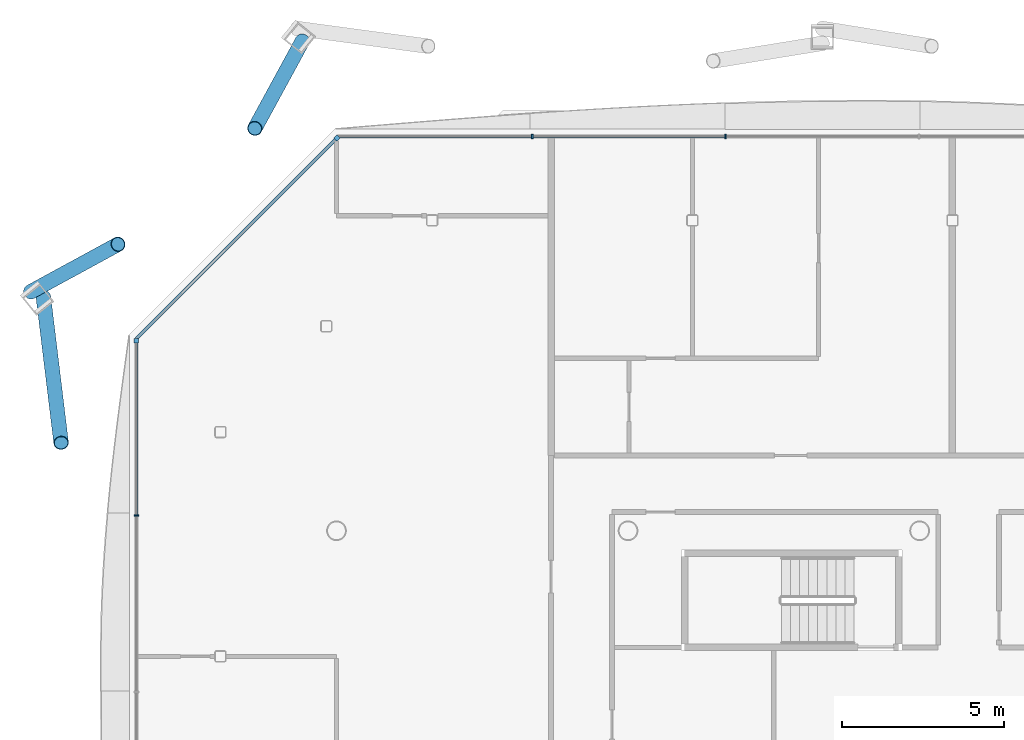
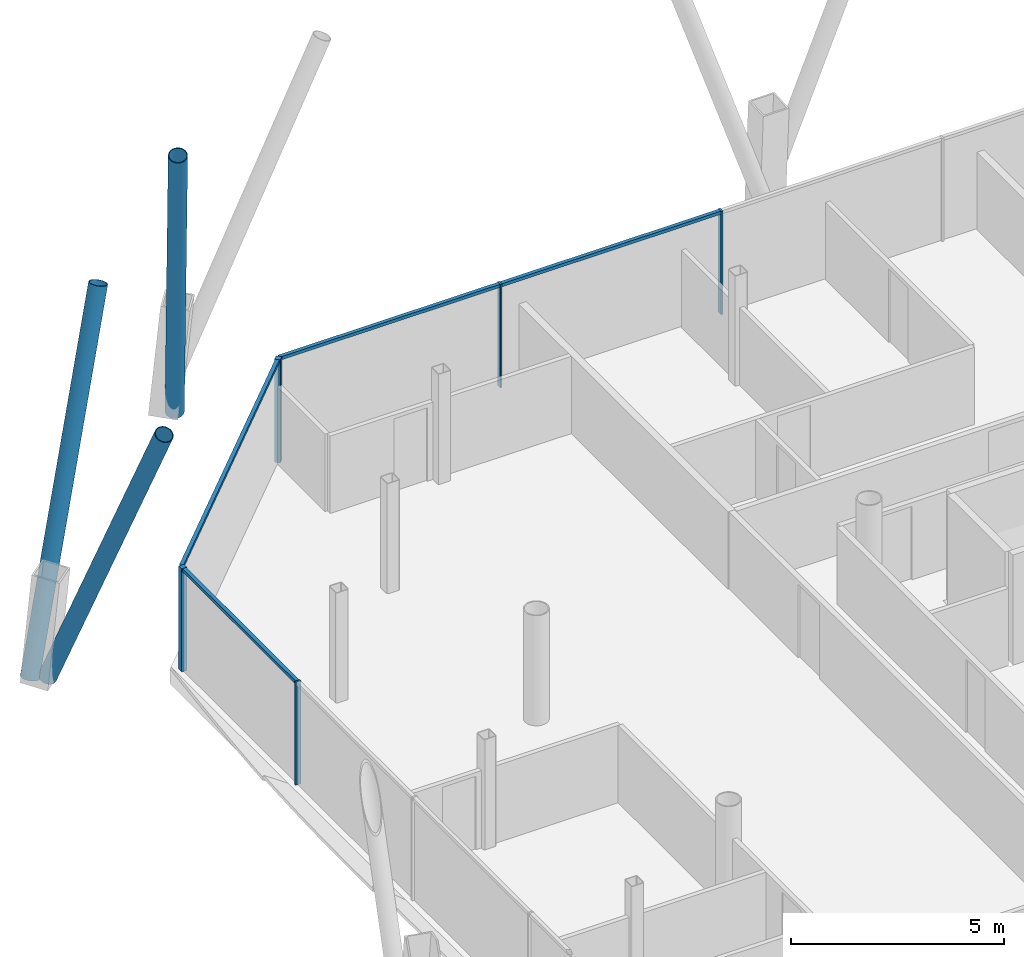
# One storey, part 9 of 21: 12 members, 3 elements without a shape of their own.
"""IFC4 building model written with IfcOpenShell, lengths in metres."""

from ifc_helpers import new_model, si_unit, direction, frame, origin, origin_2d, place, context, subcontext, project, spatial, rectangle, hollow_circle, extrude, material, material_profile, profile_set, type_object, element, aggregate, save


model = new_model("IFC4")

# Units and contexts
model_context = context("Model", 3, precision=1e-05, world=origin(), true_north=direction((0.0, 1.0)))
body_context = subcontext(model_context, "Body", "Model", "MODEL_VIEW")
ifc_project = project(units=[si_unit("LENGTHUNIT", "METRE"), si_unit("AREAUNIT", "SQUARE_METRE"), si_unit("VOLUMEUNIT", "CUBIC_METRE"), si_unit("PLANEANGLEUNIT", "RADIAN"), si_unit("MASSUNIT", "GRAM", prefix="KILO")], contexts=[model_context])

# Site, building, storey
site_placement = place(None, origin())
site = spatial("IfcSite", under=ifc_project, at=site_placement, CompositionType="ELEMENT")
building_placement = place(site_placement, origin())
building = spatial("IfcBuilding", under=site, at=building_placement, Name="Tskaro Facet Tower", CompositionType="ELEMENT")
storey_placement = place(building_placement, frame((0.0, 0.0, 172.199951171875)))
storey = spatial("IfcBuildingStorey", under=building, at=storey_placement, Name="L42", CompositionType="ELEMENT", Elevation=172.199951171875)

# Members
ifc_material_1 = material(Name="Steel S355J2H", Category="steel")
ifc_material_profile_1 = material_profile(ifc_material_1, hollow_circle(Radius=0.228515625, WallThickness=0.02001953125, at=origin_2d()), Name="CHS 457x20")
ifc_profile_set_1 = profile_set([ifc_material_profile_1], Name="Steel S355J2H")
member_type_1 = type_object("IfcMemberType", Name="CHS 457x20 brace", PredefinedType="BRACE", material=ifc_profile_set_1)
for number, where, z_axis, x_axis, name in (
    (1, (-19.054443359375, 24.114501953125, 0.0), (-0.147679248118, -0.27122854255, 0.951118245741), (0.878254135535, -0.478194179613, 0.0), "CHS 457x20 XB09A/4"),
    (2, (-27.4375, 16.377685546875, 0.0), (0.271206761816, 0.147656195683, 0.951128035662), (-0.478166220349, 0.878269358294, 0.0), "CHS 457x20 XB09B/4"),
):
    element("IfcMember", number, at=place(storey_placement, frame(where, z_axis=z_axis, x_axis=x_axis)), inside=storey, type_object=member_type_1, Name=name, PredefinedType="BRACE", context=body_context, shape_type="SweptSolid", body=[
        extrude(hollow_circle(Radius=0.228515625, WallThickness=0.02001953125, at=origin_2d()), origin(), (0.0, 0.0, 1.0), 9.935546875),
    ])
member_1_placement = place(storey_placement, frame((-27.047607421875, 16.216064453125, 0.0), z_axis=(0.052266134333, -0.429518619981, 0.90154423424), x_axis=(0.992677554553, 0.12079434046, 0.0)))
element("IfcMember", 3, at=member_1_placement, inside=storey, type_object=member_type_1, Name="CHS 457x20 XB10A/4", PredefinedType="BRACE", context=body_context, shape_type="SweptSolid", body=[
    extrude(hollow_circle(Radius=0.228515625, WallThickness=0.02001953125, at=origin_2d()), origin(), (0.0, 0.0, 1.0), 10.48193359375),
])

# Curtain wall, member
ifc_material_2 = material(Name="Bronze anodised aluminium 6063-T6", Category="aluminium")
curtain_wall_type = type_object("IfcCurtainWallType", Name="Bronze residence curtain wall (FW3)", PredefinedType="NOTDEFINED", material=ifc_material_2)
curtain_wall_1_placement = place(storey_placement, origin())
curtain_wall_1 = element("IfcCurtainWall", 4, at=curtain_wall_1_placement, inside=storey, type_object=curtain_wall_type, Name="FW3 north-west facet L42", PredefinedType="NOTDEFINED")
ifc_material_profile_2 = material_profile(ifc_material_2, rectangle(XDim=0.139892578125, YDim=0.139892578125, at=origin_2d()), Name="Corner post 140x140")
ifc_profile_set_2 = profile_set([ifc_material_profile_2], Name="Bronze anodised aluminium 6063-T6")
member_type_2 = type_object("IfcMemberType", Name="FW3 bronze corner post 140x140", PredefinedType="MULLION", material=ifc_profile_set_2)
member_2_placement = place(storey_placement, frame((-17.98046875, 21.12646484375, 0.0), z_axis=(0.0, 0.0, 1.0), x_axis=(-0.707106781187, -0.707106781187, 0.0)))
member_2 = element("IfcMember", 5, at=member_2_placement, type_object=member_type_2, Name="FW3 north-west corner post", PredefinedType="MULLION", context=body_context, shape_type="SweptSolid", body=[
    extrude(rectangle(XDim=0.139892578125, YDim=0.139892578125, at=origin_2d()), origin(), (0.0, 0.0, 1.0), 2.949951171875),
])

curtain_wall_2_placement = place(storey_placement, origin())
curtain_wall_2 = element("IfcCurtainWall", 6, at=curtain_wall_2_placement, inside=storey, type_object=curtain_wall_type, Name="FW3 west facet L42", PredefinedType="NOTDEFINED")
member_3_placement = place(storey_placement, frame((-24.176025390625, 14.861083984375, 0.0), z_axis=(0.0, 0.0, 1.0), x_axis=(0.0, -1.0, 0.0)))
member_3 = element("IfcMember", 7, at=member_3_placement, type_object=member_type_2, Name="FW3 west corner post", PredefinedType="MULLION", context=body_context, shape_type="SweptSolid", body=[
    extrude(rectangle(XDim=0.139892578125, YDim=0.139892578125, at=origin_2d()), origin(), (0.0, 0.0, 1.0), 2.949951171875),
])

# Curtain wall, members
curtain_wall_3_placement = place(storey_placement, origin())
curtain_wall_3 = element("IfcCurtainWall", 8, at=curtain_wall_3_placement, inside=storey, type_object=curtain_wall_type, Name="FW3 north facet L42", PredefinedType="NOTDEFINED")
ifc_material_profile_3 = material_profile(ifc_material_2, rectangle(XDim=0.050048828125, YDim=0.139892578125, at=origin_2d()), Name="Mullion 50x140")
ifc_profile_set_3 = profile_set([ifc_material_profile_3], Name="Bronze anodised aluminium 6063-T6")
member_type_3 = type_object("IfcMemberType", Name="FW3 bronze mullion 50x140", PredefinedType="MULLION", material=ifc_profile_set_3)
member_4_placement = place(storey_placement, frame((-5.986083984375, 21.176025390625, 0.0), z_axis=(0.0, 0.0, 1.0), x_axis=(-1.0, 0.0, 0.0)))
member_4 = element("IfcMember", 9, at=member_4_placement, type_object=member_type_3, Name="FW3 north mullion 3", PredefinedType="MULLION", context=body_context, shape_type="SweptSolid", body=[
    extrude(rectangle(XDim=0.050048828125, YDim=0.139892578125, at=origin_2d()), origin(), (0.0, 0.0, 1.0), 2.949951171875),
])
member_5_placement = place(storey_placement, frame((-11.95849609375, 21.176025390625, 0.0), z_axis=(0.0, 0.0, 1.0), x_axis=(-1.0, 0.0, 0.0)))
member_5 = element("IfcMember", 10, at=member_5_placement, type_object=member_type_3, Name="FW3 north mullion 4", PredefinedType="MULLION", context=body_context, shape_type="SweptSolid", body=[
    extrude(rectangle(XDim=0.050048828125, YDim=0.139892578125, at=origin_2d()), origin(), (0.0, 0.0, 1.0), 2.949951171875),
])

# Member
member_6_placement = place(storey_placement, frame((-24.176025390625, 9.475830078125, 0.0), z_axis=(0.0, 0.0, 1.0), x_axis=(0.0, -1.0, 0.0)))
member_6 = element("IfcMember", 11, at=member_6_placement, type_object=member_type_3, Name="FW3 west mullion 1", PredefinedType="MULLION", context=body_context, shape_type="SweptSolid", body=[
    extrude(rectangle(XDim=0.050048828125, YDim=0.139892578125, at=origin_2d()), origin(), (0.0, 0.0, 1.0), 2.949951171875),
])

ifc_material_profile_4 = material_profile(ifc_material_2, rectangle(XDim=0.10009765625, YDim=0.090087890625, at=origin_2d()), Name="Transom 100x90")
ifc_profile_set_4 = profile_set([ifc_material_profile_4], Name="Bronze anodised aluminium 6063-T6")
member_type_4 = type_object("IfcMemberType", Name="FW3 bronze transom 100x90", PredefinedType="USERDEFINED", material=ifc_profile_set_4)
member_7_placement = place(storey_placement, frame((-6.01123046875, 21.176025390625, 2.905029296875), z_axis=(-1.0, 0.0, 0.0), x_axis=(0.0, -1.0, 0.0)))
member_7 = element("IfcMember", 12, at=member_7_placement, type_object=member_type_4, Name="FW3 north transom 4.1", ObjectType="TRANSOM", PredefinedType="USERDEFINED", context=body_context, shape_type="SweptSolid", body=[
    extrude(rectangle(XDim=0.10009765625, YDim=0.090087890625, at=origin_2d()), origin(), (0.0, 0.0, 1.0), 5.92236328125),
])

member_8_placement = place(storey_placement, frame((-11.983642578125, 21.176025390625, 2.905029296875), z_axis=(-1.0, 0.0, 0.0), x_axis=(0.0, -1.0, 0.0)))
member_8 = element("IfcMember", 13, at=member_8_placement, type_object=member_type_4, Name="FW3 north transom 5.1", ObjectType="TRANSOM", PredefinedType="USERDEFINED", context=body_context, shape_type="SweptSolid", body=[
    extrude(rectangle(XDim=0.10009765625, YDim=0.090087890625, at=origin_2d()), origin(), (0.0, 0.0, 1.0), 5.947265625),
])

aggregate(curtain_wall_3, [member_4, member_5, member_7, member_8])

member_9_placement = place(storey_placement, frame((-18.030029296875, 21.076904296875, 2.905029296875), z_axis=(-0.707106781187, -0.707106781187, 0.0), x_axis=(0.707106781187, -0.707106781187, 0.0)))
member_9 = element("IfcMember", 14, at=member_9_placement, type_object=member_type_4, Name="FW3 north-west transom 1.1", ObjectType="TRANSOM", PredefinedType="USERDEFINED", context=body_context, shape_type="SweptSolid", body=[
    extrude(rectangle(XDim=0.10009765625, YDim=0.090087890625, at=origin_2d()), origin(), (0.0, 0.0, 1.0), 8.691650390625),
])

aggregate(curtain_wall_1, [member_2, member_9])

member_10_placement = place(storey_placement, frame((-24.176025390625, 14.791015625, 2.905029296875), z_axis=(0.0, -1.0, 0.0), x_axis=(1.0, 0.0, 0.0)))
member_10 = element("IfcMember", 15, at=member_10_placement, type_object=member_type_4, Name="FW3 west transom 1.1", ObjectType="TRANSOM", PredefinedType="USERDEFINED", context=body_context, shape_type="SweptSolid", body=[
    extrude(rectangle(XDim=0.10009765625, YDim=0.090087890625, at=origin_2d()), origin(), (0.0, 0.0, 1.0), 5.290283203125),
])

aggregate(curtain_wall_2, [member_3, member_6, member_10])

save(model, "model.ifc")
